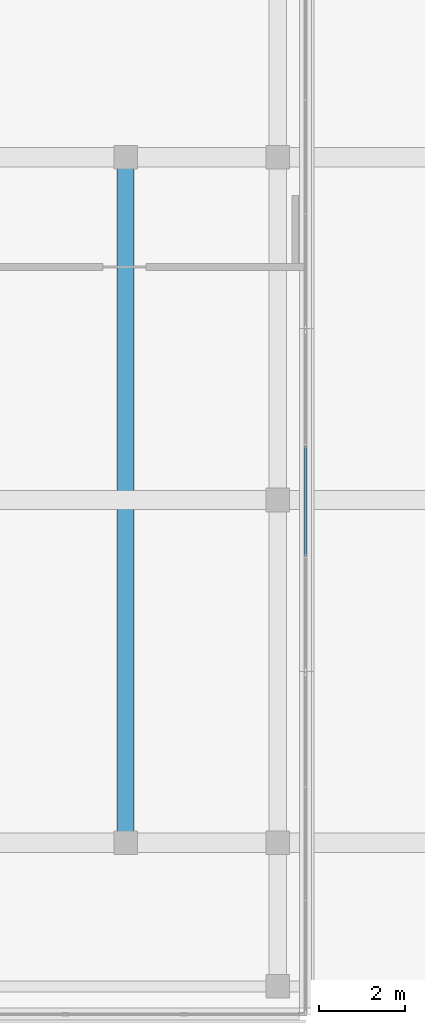
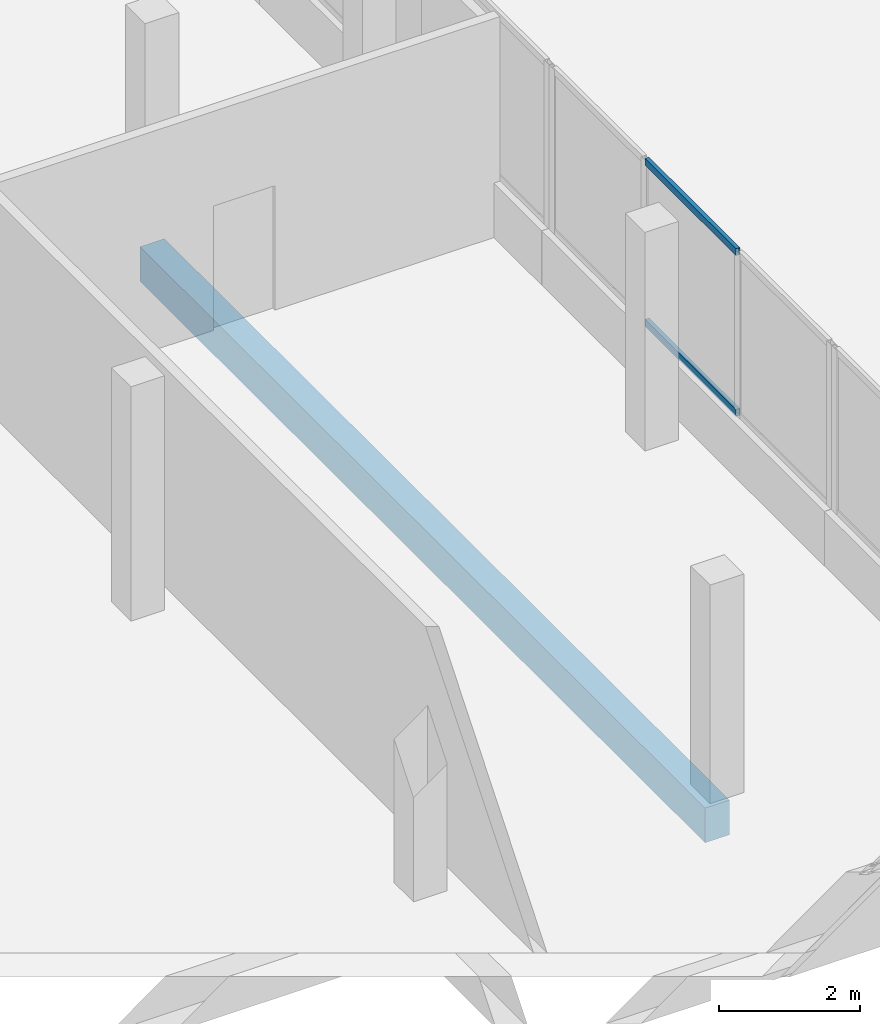
# One storey, part 42 of 66: 2 members, 1 beam, 1 element without a shape of its own.
"""IFC4 building model written with IfcOpenShell, lengths in metres."""

from ifc_helpers import new_model, si_unit, direction, frame, origin, origin_2d, place, context, subcontext, project, spatial, rectangle, hollow_rectangle, extrude, material, material_profile, profile_set, type_object, element, aggregate, save


model = new_model("IFC4")

# Units and contexts
model_context = context("Model", 3, precision=1e-05, world=origin(), true_north=direction((0.0, 1.0)))
body_context = subcontext(model_context, "Body", "Model", "MODEL_VIEW")
ifc_project = project(units=[si_unit("LENGTHUNIT", "METRE"), si_unit("AREAUNIT", "SQUARE_METRE"), si_unit("VOLUMEUNIT", "CUBIC_METRE"), si_unit("PLANEANGLEUNIT", "RADIAN"), si_unit("MASSUNIT", "GRAM", prefix="KILO")], contexts=[model_context])

# Site, building, storey
site_placement = place(None, origin())
site = spatial("IfcSite", under=ifc_project, at=site_placement, CompositionType="ELEMENT")
building_placement = place(site_placement, origin())
building = spatial("IfcBuilding", under=site, at=building_placement, Name="Selatvlak General Hospital", CompositionType="ELEMENT")
storey_placement = place(building_placement, frame((0.0, 0.0, 31.35009765625)))
storey = spatial("IfcBuildingStorey", under=building, at=storey_placement, Name="L07", CompositionType="ELEMENT", Elevation=31.35009765625)

# Beam
ifc_material_1 = material(Name="Concrete C40/50", Category="concrete")
ifc_material_profile_1 = material_profile(ifc_material_1, rectangle(XDim=0.39990234375, YDim=0.60009765625, at=origin_2d()), Name="RC-BM 400x600")
ifc_profile_set_1 = profile_set([ifc_material_profile_1], Name="Concrete C40/50")
beam_type = type_object("IfcBeamType", Name="BM-G05", PredefinedType="BEAM", material=ifc_profile_set_1)
beam_placement = place(storey_placement, frame((161.39990234375, 92.0, -0.570068359375), z_axis=(0.0, 1.0, 0.0), x_axis=(-1.0, 0.0, 0.0)))
element("IfcBeam", 1, at=beam_placement, inside=storey, type_object=beam_type, Name="Beam BMR-L07-2535", PredefinedType="BEAM", context=body_context, shape_type="SweptSolid", body=[
    extrude(rectangle(XDim=0.39990234375, YDim=0.60009765625, at=origin_2d()), origin(), (0.0, 0.0, 1.0), 16.0),
])

# Curtain wall, members
ifc_material_2 = material(Name="Solar-control Low-E double glazing", Category="glass")
curtain_wall_type = type_object("IfcCurtainWallType", Name="CW-CW-01", PredefinedType="USERDEFINED", material=ifc_material_2)
curtain_wall_placement = place(storey_placement, origin())
curtain_wall = element("IfcCurtainWall", 2, at=curtain_wall_placement, inside=storey, type_object=curtain_wall_type, Name="Glazed facade curtain wall CW-L07-0661", ObjectType="UNITISED CURTAIN WALL", PredefinedType="USERDEFINED")
ifc_material_3 = material(Name="Dark anodised aluminium mullion", Category="aluminium")
ifc_material_profile_2 = material_profile(ifc_material_3, hollow_rectangle(XDim=0.06494140625, YDim=0.1201171875, WallThickness=0.00390625, at=origin_2d()), Name="AL-TRN 65x120x4")
ifc_profile_set_2 = profile_set([ifc_material_profile_2], Name="Dark anodised aluminium mullion")
member_type = type_object("IfcMemberType", Name="CWT-01", PredefinedType="USERDEFINED", material=ifc_profile_set_2)
member_1_placement = place(storey_placement, frame((165.599365234375, 101.263427734375, 0.972412109375), z_axis=(9.4813691e-05, -0.999999995505, 0.0), x_axis=(0.999999995505, 9.4813691e-05, 0.0)))
member_1 = element("IfcMember", 3, at=member_1_placement, type_object=member_type, Name="CW-01 transom 2.1", ObjectType="TRANSOM", PredefinedType="USERDEFINED", context=body_context, shape_type="SweptSolid", body=[
    extrude(hollow_rectangle(XDim=0.06494140625, YDim=0.1201171875, WallThickness=0.00390625, at=origin_2d()), origin(), (0.0, 0.0, 1.0), 2.574951171875),
])
member_2_placement = place(storey_placement, frame((165.599365234375, 101.263427734375, 3.75244140625), z_axis=(9.4813691e-05, -0.999999995505, 0.0), x_axis=(0.999999995505, 9.4813691e-05, 0.0)))
member_2 = element("IfcMember", 4, at=member_2_placement, type_object=member_type, Name="CW-01 transom 2.2", ObjectType="TRANSOM", PredefinedType="USERDEFINED", context=body_context, shape_type="SweptSolid", body=[
    extrude(hollow_rectangle(XDim=0.06494140625, YDim=0.1201171875, WallThickness=0.00390625, at=origin_2d()), origin(), (0.0, 0.0, 1.0), 2.574951171875),
])
aggregate(curtain_wall, [member_1, member_2])

save(model, "model.ifc")
